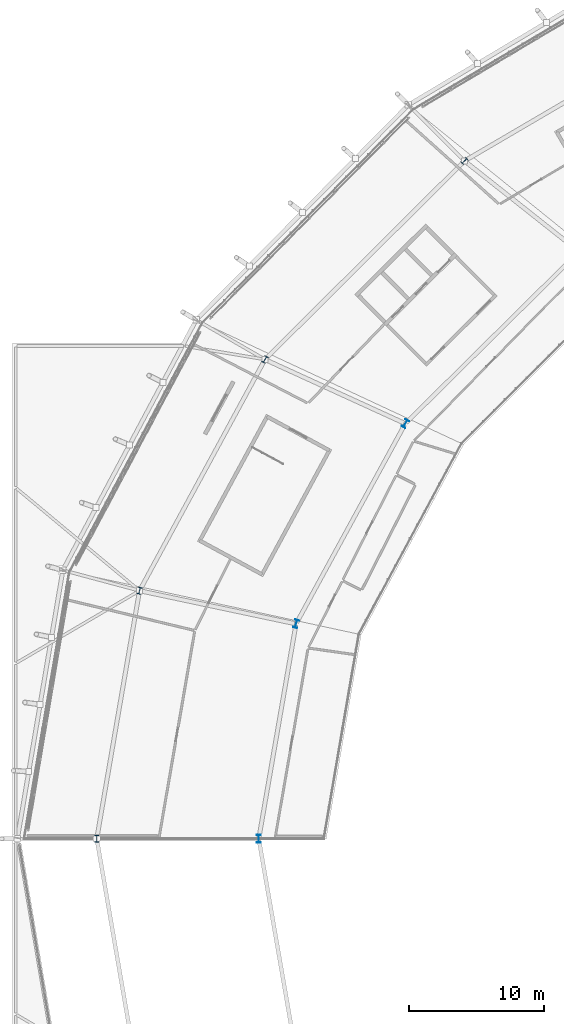
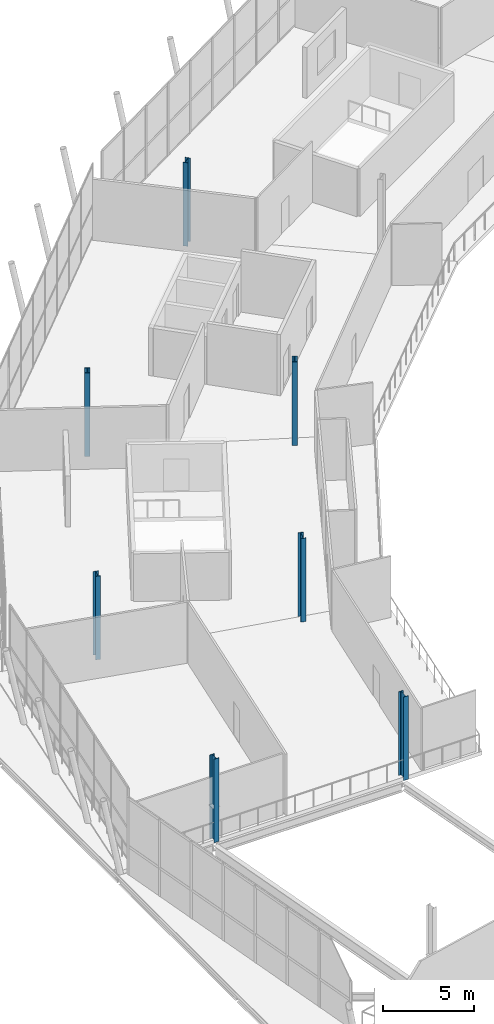
# One storey, part 4 of 99: 7 columns.
"""IFC4 building model written with IfcOpenShell, lengths in metres."""

from ifc_helpers import new_model, si_unit, direction, frame, origin, origin_2d, place, context, subcontext, project, spatial, i_section, extrude, material, material_profile, profile_set, type_object, element, save


model = new_model("IFC4")

# Units and contexts
model_context = context("Model", 3, precision=1e-05, world=origin(), true_north=direction((0.0, 1.0)))
body_context = subcontext(model_context, "Body", "Model", "MODEL_VIEW")
ifc_project = project(units=[si_unit("LENGTHUNIT", "METRE"), si_unit("AREAUNIT", "SQUARE_METRE"), si_unit("VOLUMEUNIT", "CUBIC_METRE"), si_unit("PLANEANGLEUNIT", "RADIAN"), si_unit("MASSUNIT", "GRAM", prefix="KILO")], contexts=[model_context])

# Site, building, storey
site_placement = place(None, origin())
site = spatial("IfcSite", under=ifc_project, at=site_placement, CompositionType="ELEMENT")
building_placement = place(site_placement, origin())
building = spatial("IfcBuilding", under=site, at=building_placement, Name="Zlatoyarsky Gate Stadium", CompositionType="ELEMENT")
storey_placement = place(building_placement, frame((0.0, 0.0, 26.199951171875)))
storey = spatial("IfcBuildingStorey", under=building, at=storey_placement, Name="L05", CompositionType="ELEMENT", Elevation=26.199951171875)

# Columns
ifc_material = material(Name="Steel S355", Category="steel")
ifc_material_profile_1 = material_profile(ifc_material, i_section(OverallWidth=0.300048828125, OverallDepth=0.5, WebThickness=0.014404296875, FlangeThickness=0.028076171875, FilletRadius=0.027099609375, at=origin_2d()), Name="HEB 500")
ifc_profile_set_1 = profile_set([ifc_material_profile_1], Name="Steel S355")
column_type_1 = type_object("IfcColumnType", Name="STEEL COLUMN HEB 500", PredefinedType="COLUMN", material=ifc_profile_set_1)
for number, where, z_axis, x_axis, name in (
    (1, (45.239013671875, 130.20458984375, 0.0), (0.0, 0.0, 1.0), (-0.707106781187, 0.707106781187, 0.0), "Column ST-C500 RC-09 on L05"),
    (2, (30.459716796875, 115.5, 0.0), (0.0, 0.0, 1.0), (-0.866025403784, 0.5, 0.0), "Column ST-C500 RC-10 on L05"),
    (3, (21.1689453125, 98.376220703125, 0.0), (0.0, 0.0, 1.0), (-0.965925826289, 0.258819045103, 0.0), "Column ST-C500 RC-11 on L05"),
    (4, (18.0, 80.0, 0.0), (0.0, 0.0, 1.0), (-1.0, 0.0, 0.0), "Column ST-C500 RC-12 on L05"),
):
    element("IfcColumn", number, at=place(storey_placement, frame(where, z_axis=z_axis, x_axis=x_axis)), inside=storey, type_object=column_type_1, Name=name, PredefinedType="COLUMN", context=body_context, shape_type="SweptSolid", body=[
        extrude(i_section(OverallWidth=0.300048828125, OverallDepth=0.5, WebThickness=0.014404296875, FlangeThickness=0.028076171875, FilletRadius=0.027099609375, at=origin_2d()), origin(), (0.0, 0.0, 1.0), 5.60009765625),
    ])
ifc_material_profile_2 = material_profile(ifc_material, i_section(OverallWidth=0.300048828125, OverallDepth=0.60009765625, WebThickness=0.015380859375, FlangeThickness=0.030029296875, FilletRadius=0.027099609375, at=origin_2d()), Name="HEB 600")
ifc_profile_set_2 = profile_set([ifc_material_profile_2], Name="Steel S355")
column_type_2 = type_object("IfcColumnType", Name="STEEL COLUMN HEB 600", PredefinedType="COLUMN", material=ifc_profile_set_2)
for number, where, z_axis, x_axis, name in (
    (5, (40.851806640625, 110.75, 0.0), (0.0, 0.0, 1.0), (-0.866025403784, 0.5, 0.0), "Column ST-C600 RB-10 on L05"),
    (6, (32.760009765625, 95.91748046875, 0.0), (0.0, 0.0, 1.0), (-0.965925826289, 0.258819045103, 0.0), "Column ST-C600 RB-11 on L05"),
    (7, (30.0, 80.0, 0.0), (0.0, 0.0, 1.0), (-1.0, 0.0, 0.0), "Column ST-C600 RB-12 on L05"),
):
    element("IfcColumn", number, at=place(storey_placement, frame(where, z_axis=z_axis, x_axis=x_axis)), inside=storey, type_object=column_type_2, Name=name, PredefinedType="COLUMN", context=body_context, shape_type="SweptSolid", body=[
        extrude(i_section(OverallWidth=0.300048828125, OverallDepth=0.60009765625, WebThickness=0.015380859375, FlangeThickness=0.030029296875, FilletRadius=0.027099609375, at=origin_2d()), origin(), (0.0, 0.0, 1.0), 5.60009765625),
    ])

save(model, "model.ifc")
